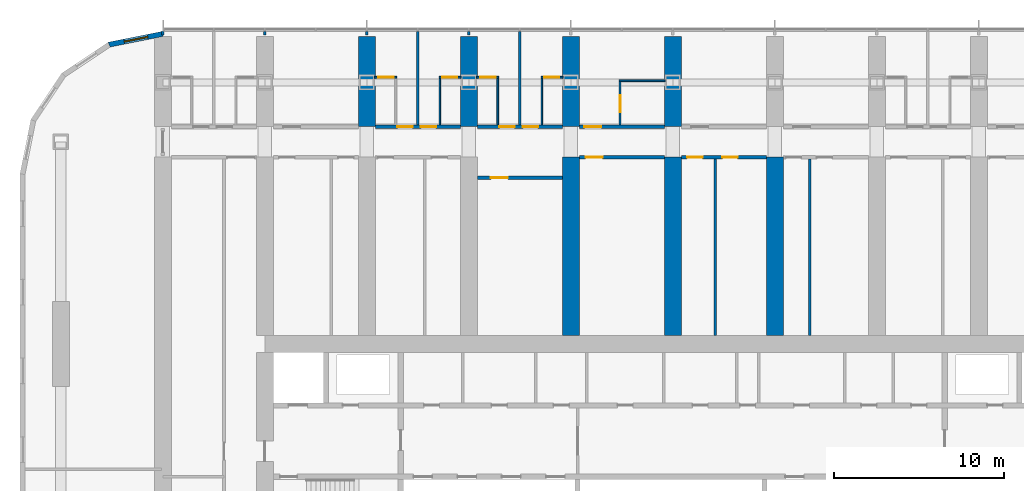
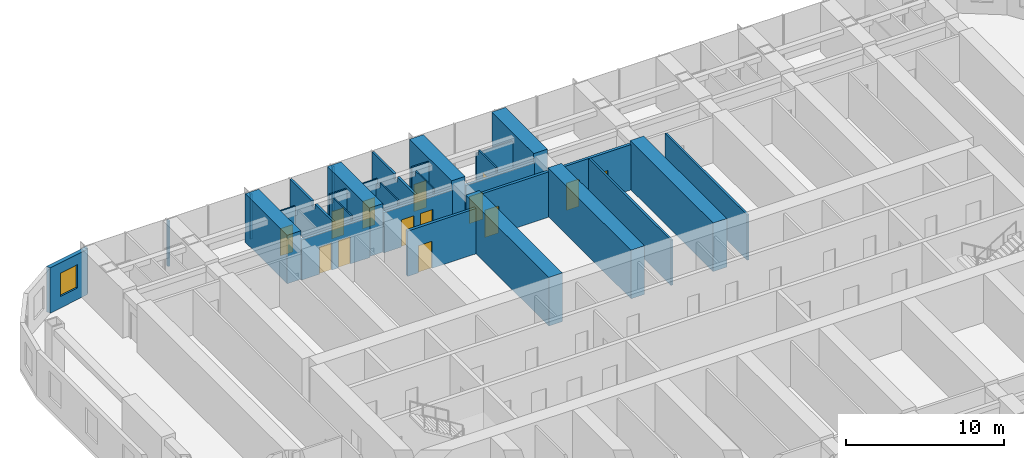
# One storey, part 15 of 23: 31 walls, 14 doors, 1 window, 15 openings.
"""IFC4 building model written with IfcOpenShell, lengths in metres."""

from ifc_helpers import new_model, si_unit, direction, frame, frame_2d, origin, place, context, subcontext, project, spatial, polyline, rectangle, outline, extrude, material, layer, layer_set, type_object, element, fill, save


model = new_model("IFC4")

# Units and contexts
model_context = context("Model", 3, precision=1e-05, world=origin(), true_north=direction((0.0, 1.0)))
body_context = subcontext(model_context, "Body", "Model", "MODEL_VIEW")
ifc_project = project(units=[si_unit("LENGTHUNIT", "METRE"), si_unit("AREAUNIT", "SQUARE_METRE"), si_unit("VOLUMEUNIT", "CUBIC_METRE"), si_unit("PLANEANGLEUNIT", "RADIAN"), si_unit("MASSUNIT", "GRAM", prefix="KILO")], contexts=[model_context])

# Site, building, storey
site_placement = place(None, origin())
site = spatial("IfcSite", under=ifc_project, at=site_placement, CompositionType="ELEMENT")
building_placement = place(site_placement, origin())
building = spatial("IfcBuilding", under=site, at=building_placement, Name="Orbita Commons", CompositionType="ELEMENT")
storey_placement = place(building_placement, frame((0.0, 0.0, 46.449951171875)))
storey = spatial("IfcBuildingStorey", under=building, at=storey_placement, Name="L11", CompositionType="ELEMENT", Elevation=46.449951171875)

# Wall, openings, doors
ifc_material_1 = material(Name="Concrete blockwork", Category="masonry")
ifc_layer_1 = layer(ifc_material_1, 0.199951171875)
ifc_layer_set_1 = layer_set([ifc_layer_1], Name="Concrete blockwork")
wall_type_1 = type_object("IfcWallType", Name="Corridor wall 200 blockwork", PredefinedType="SOLIDWALL", material=ifc_layer_set_1)
wall_1_placement = place(storey_placement, frame((24.5, 51.0, 0.0), z_axis=(0.0, 0.0, 1.0), x_axis=(1.0, 0.0, 0.0)))
wall_1 = element("IfcWall", 1, at=wall_1_placement, inside=storey, type_object=wall_type_1, Name="Corridor wall 200 blockwork L11", PredefinedType="SOLIDWALL", context=body_context, shape_type="SweptSolid", body=[
    extrude(outline(polyline([(0.0, 0.0), (5.0, 0.0), (5.0, 3.10009765625), (0.0, 3.10009765625), (0.0, 0.0)])), frame((0.0, 0.10009765625, 0.0), z_axis=(0.0, -1.0, 0.0), x_axis=(1.0, 0.0, 0.0)), (0.0, 0.0, 1.0), 0.199951171875),
])
opening_1_placement = place(wall_1_placement, frame((1.300048828125, 0.0, 0.0)))
opening_1 = element("IfcOpeningElement", 2, at=opening_1_placement, cuts=wall_1, Name="Opening D11", PredefinedType="OPENING", context=body_context, shape_type="SweptSolid", body=[
    extrude(rectangle(XDim=0.89990234375, YDim=2.10009765625, at=frame_2d((0.449951171875, 1.050048828125))), frame((0.0, 0.10986328125, 0.0), z_axis=(0.0, -1.0, 0.0), x_axis=(1.0, 0.0, 0.0)), (0.0, 0.0, 1.0), 0.219970703125),
])
opening_2_placement = place(wall_1_placement, frame((2.675048828125, 0.0, 0.0)))
opening_2 = element("IfcOpeningElement", 3, at=opening_2_placement, cuts=wall_1, Name="Opening D11", PredefinedType="OPENING", context=body_context, shape_type="SweptSolid", body=[
    extrude(rectangle(XDim=0.89990234375, YDim=2.10009765625, at=frame_2d((0.449951171875, 1.050048828125))), frame((0.0, 0.10986328125, 0.0), z_axis=(0.0, -1.0, 0.0), x_axis=(1.0, 0.0, 0.0)), (0.0, 0.0, 1.0), 0.219970703125),
])
ifc_material_2 = material(Name="Steel-faced fire door leaf", Category="steel")
door_type_1 = type_object("IfcDoorType", Name="Corridor door 20 min 900x2100", OperationType="SINGLE_SWING_LEFT", PredefinedType="DOOR", material=ifc_material_2)
door_1_placement = place(opening_1_placement, origin())
door_1 = element("IfcDoor", 4, at=door_1_placement, inside=storey, type_object=door_type_1, Name="House bedroom L11-N04 door", OperationType="SINGLE_SWING_LEFT", OverallHeight=2.10009765625, OverallWidth=0.89990234375, PredefinedType="DOOR", context=body_context, shape_type="SweptSolid", body=[
    extrude(rectangle(XDim=0.89990234375, YDim=2.10009765625, at=frame_2d((0.449951171875, 1.050048828125))), frame((0.0, 0.02490234375, 0.0), z_axis=(0.0, -1.0, 0.0), x_axis=(1.0, 0.0, 0.0)), (0.0, 0.0, 1.0), 0.050048828125),
])
fill(opening_1, door_1)
door_2_placement = place(opening_2_placement, origin())
door_2 = element("IfcDoor", 5, at=door_2_placement, inside=storey, type_object=door_type_1, Name="House bedroom L11-N05 door", OperationType="SINGLE_SWING_LEFT", OverallHeight=2.10009765625, OverallWidth=0.89990234375, PredefinedType="DOOR", context=body_context, shape_type="SweptSolid", body=[
    extrude(rectangle(XDim=0.89990234375, YDim=2.10009765625, at=frame_2d((0.449951171875, 1.050048828125))), frame((0.0, 0.02490234375, 0.0), z_axis=(0.0, -1.0, 0.0), x_axis=(1.0, 0.0, 0.0)), (0.0, 0.0, 1.0), 0.050048828125),
])
fill(opening_2, door_2)

wall_2_placement = place(storey_placement, frame((30.5, 51.0, 0.0), z_axis=(0.0, 0.0, 1.0), x_axis=(1.0, 0.0, 0.0)))
wall_2 = element("IfcWall", 6, at=wall_2_placement, inside=storey, type_object=wall_type_1, Name="Corridor wall 200 blockwork L11", PredefinedType="SOLIDWALL", context=body_context, shape_type="SweptSolid", body=[
    extrude(outline(polyline([(0.0, 0.0), (5.0, 0.0), (5.0, 3.10009765625), (0.0, 3.10009765625), (0.0, 0.0)])), frame((0.0, 0.10009765625, 0.0), z_axis=(0.0, -1.0, 0.0), x_axis=(1.0, 0.0, 0.0)), (0.0, 0.0, 1.0), 0.199951171875),
])
opening_3_placement = place(wall_2_placement, frame((1.300048828125, 0.0, 0.0)))
opening_3 = element("IfcOpeningElement", 7, at=opening_3_placement, cuts=wall_2, Name="Opening D11", PredefinedType="OPENING", context=body_context, shape_type="SweptSolid", body=[
    extrude(rectangle(XDim=0.89990234375, YDim=2.10009765625, at=frame_2d((0.449951171875, 1.050048828125))), frame((0.0, 0.10986328125, 0.0), z_axis=(0.0, -1.0, 0.0), x_axis=(1.0, 0.0, 0.0)), (0.0, 0.0, 1.0), 0.219970703125),
])
opening_4_placement = place(wall_2_placement, frame((2.675048828125, 0.0, 0.0)))
opening_4 = element("IfcOpeningElement", 8, at=opening_4_placement, cuts=wall_2, Name="Opening D11", PredefinedType="OPENING", context=body_context, shape_type="SweptSolid", body=[
    extrude(rectangle(XDim=0.89990234375, YDim=2.10009765625, at=frame_2d((0.449951171875, 1.050048828125))), frame((0.0, 0.10986328125, 0.0), z_axis=(0.0, -1.0, 0.0), x_axis=(1.0, 0.0, 0.0)), (0.0, 0.0, 1.0), 0.219970703125),
])
door_3_placement = place(opening_3_placement, origin())
door_3 = element("IfcDoor", 9, at=door_3_placement, inside=storey, type_object=door_type_1, Name="House bedroom L11-N06 door", OperationType="SINGLE_SWING_LEFT", OverallHeight=2.10009765625, OverallWidth=0.89990234375, PredefinedType="DOOR", context=body_context, shape_type="SweptSolid", body=[
    extrude(rectangle(XDim=0.89990234375, YDim=2.10009765625, at=frame_2d((0.449951171875, 1.050048828125))), frame((0.0, 0.02490234375, 0.0), z_axis=(0.0, -1.0, 0.0), x_axis=(1.0, 0.0, 0.0)), (0.0, 0.0, 1.0), 0.050048828125),
])
fill(opening_3, door_3)
door_4_placement = place(opening_4_placement, origin())
door_4 = element("IfcDoor", 10, at=door_4_placement, inside=storey, type_object=door_type_1, Name="House bedroom L11-N07 door", OperationType="SINGLE_SWING_LEFT", OverallHeight=2.10009765625, OverallWidth=0.89990234375, PredefinedType="DOOR", context=body_context, shape_type="SweptSolid", body=[
    extrude(rectangle(XDim=0.89990234375, YDim=2.10009765625, at=frame_2d((0.449951171875, 1.050048828125))), frame((0.0, 0.02490234375, 0.0), z_axis=(0.0, -1.0, 0.0), x_axis=(1.0, 0.0, 0.0)), (0.0, 0.0, 1.0), 0.050048828125),
])
fill(opening_4, door_4)

# Wall, opening, door
wall_3_placement = place(storey_placement, frame((36.5, 51.0, 0.0), z_axis=(0.0, 0.0, 1.0), x_axis=(1.0, 0.0, 0.0)))
wall_3 = element("IfcWall", 11, at=wall_3_placement, inside=storey, type_object=wall_type_1, Name="Corridor wall 200 blockwork L11", PredefinedType="SOLIDWALL", context=body_context, shape_type="SweptSolid", body=[
    extrude(outline(polyline([(0.0, 0.0), (5.0, 0.0), (5.0, 3.10009765625), (0.0, 3.10009765625), (0.0, 0.0)])), frame((0.0, 0.10009765625, 0.0), z_axis=(0.0, -1.0, 0.0), x_axis=(1.0, 0.0, 0.0)), (0.0, 0.0, 1.0), 0.199951171875),
])
opening_5_placement = place(wall_3_placement, frame((0.300048828125, 0.0, 0.0)))
opening_5 = element("IfcOpeningElement", 12, at=opening_5_placement, cuts=wall_3, Name="Opening D06", PredefinedType="OPENING", context=body_context, shape_type="SweptSolid", body=[
    extrude(rectangle(XDim=1.0, YDim=2.10009765625, at=frame_2d((0.5, 1.050048828125))), frame((0.0, 0.10986328125, 0.0), z_axis=(0.0, -1.0, 0.0), x_axis=(1.0, 0.0, 0.0)), (0.0, 0.0, 1.0), 0.219970703125),
])
ifc_material_3 = material(Name="Steel-faced fire door leaf", Category="steel")
door_type_2 = type_object("IfcDoorType", Name="Corridor door 20 min 1000x2100", OperationType="SINGLE_SWING_LEFT", PredefinedType="DOOR", material=ifc_material_3)
door_5_placement = place(opening_5_placement, origin())
door_5 = element("IfcDoor", 13, at=door_5_placement, inside=storey, type_object=door_type_2, Name="Accessible bedroom L11-N08 door", OperationType="SINGLE_SWING_LEFT", OverallHeight=2.10009765625, OverallWidth=1.0, PredefinedType="DOOR", context=body_context, shape_type="SweptSolid", body=[
    extrude(rectangle(XDim=1.0, YDim=2.10009765625, at=frame_2d((0.5, 1.050048828125))), frame((0.0, 0.02490234375, 0.0), z_axis=(0.0, -1.0, 0.0), x_axis=(1.0, 0.0, 0.0)), (0.0, 0.0, 1.0), 0.050048828125),
])
fill(opening_5, door_5)

ifc_material_4 = material(Name="Hollow concrete block 200", Category="concrete")
ifc_layer_2 = layer(ifc_material_4, 0.199951171875)
ifc_layer_set_2 = layer_set([ifc_layer_2], Name="Hollow concrete block 200")
wall_type_2 = type_object("IfcWallType", Name="Corridor wall 200 hollow concrete block", PredefinedType="SOLIDWALL", material=ifc_layer_set_2)
wall_4_placement = place(storey_placement, frame((36.5, 49.199951171875, 0.0), z_axis=(0.0, 0.0, 1.0), x_axis=(1.0, 0.0, 0.0)))
wall_4 = element("IfcWall", 14, at=wall_4_placement, inside=storey, type_object=wall_type_2, Name="Corridor wall 200 hollow concrete block L11", PredefinedType="SOLIDWALL", context=body_context, shape_type="SweptSolid", body=[
    extrude(rectangle(XDim=5.0, YDim=0.199951171875, at=frame_2d((2.5, 0.0))), origin(), (0.0, 0.0, 1.0), 3.5),
])
opening_6_placement = place(wall_4_placement, frame((0.375, 0.0, 0.0)))
opening_6 = element("IfcOpeningElement", 15, at=opening_6_placement, cuts=wall_4, Name="Opening D06", PredefinedType="OPENING", context=body_context, shape_type="SweptSolid", body=[
    extrude(rectangle(XDim=1.0, YDim=2.10009765625, at=frame_2d((0.5, 1.050048828125))), frame((0.0, 0.10986328125, 0.0), z_axis=(0.0, -1.0, 0.0), x_axis=(1.0, 0.0, 0.0)), (0.0, 0.0, 1.0), 0.219970703125),
])
door_6_placement = place(opening_6_placement, origin())
door_6 = element("IfcDoor", 16, at=door_6_placement, inside=storey, type_object=door_type_2, Name="Store L11-BDN36 door", OperationType="SINGLE_SWING_LEFT", OverallHeight=2.10009765625, OverallWidth=1.0, PredefinedType="DOOR", context=body_context, shape_type="SweptSolid", body=[
    extrude(rectangle(XDim=1.0, YDim=2.10009765625, at=frame_2d((0.5, 1.050048828125))), frame((0.0, 0.02490234375, 0.0), z_axis=(0.0, -1.0, 0.0), x_axis=(1.0, 0.0, 0.0)), (0.0, 0.0, 1.0), 0.050048828125),
])
fill(opening_6, door_6)

# Wall, openings, doors
wall_5_placement = place(storey_placement, frame((42.5, 49.199951171875, 0.0), z_axis=(0.0, 0.0, 1.0), x_axis=(1.0, 0.0, 0.0)))
wall_5 = element("IfcWall", 17, at=wall_5_placement, inside=storey, type_object=wall_type_2, Name="Corridor wall 200 hollow concrete block L11", PredefinedType="SOLIDWALL", context=body_context, shape_type="SweptSolid", body=[
    extrude(rectangle(XDim=5.0, YDim=0.199951171875, at=frame_2d((2.5, 0.0))), origin(), (0.0, 0.0, 1.0), 3.5),
])
opening_7_placement = place(wall_5_placement, frame((0.35009765625, 0.0, 0.0)))
opening_7 = element("IfcOpeningElement", 18, at=opening_7_placement, cuts=wall_5, Name="Opening D11", PredefinedType="OPENING", context=body_context, shape_type="SweptSolid", body=[
    extrude(rectangle(XDim=0.89990234375, YDim=2.10009765625, at=frame_2d((0.449951171875, 1.050048828125))), frame((0.0, 0.10986328125, 0.0), z_axis=(0.0, -1.0, 0.0), x_axis=(1.0, 0.0, 0.0)), (0.0, 0.0, 1.0), 0.219970703125),
])
opening_8_placement = place(wall_5_placement, frame((2.4150390625, 0.0, 0.0)))
opening_8 = element("IfcOpeningElement", 19, at=opening_8_placement, cuts=wall_5, Name="Opening D11", PredefinedType="OPENING", context=body_context, shape_type="SweptSolid", body=[
    extrude(rectangle(XDim=0.89990234375, YDim=2.10009765625, at=frame_2d((0.449951171875, 1.050048828125))), frame((0.0, 0.10986328125, 0.0), z_axis=(0.0, -1.0, 0.0), x_axis=(1.0, 0.0, 0.0)), (0.0, 0.0, 1.0), 0.219970703125),
])
door_7_placement = place(opening_7_placement, origin())
door_7 = element("IfcDoor", 20, at=door_7_placement, inside=storey, type_object=door_type_1, Name="Sprinkler valve room L11-BDN42n door", OperationType="SINGLE_SWING_LEFT", OverallHeight=2.10009765625, OverallWidth=0.89990234375, PredefinedType="DOOR", context=body_context, shape_type="SweptSolid", body=[
    extrude(rectangle(XDim=0.89990234375, YDim=2.10009765625, at=frame_2d((0.449951171875, 1.050048828125))), frame((0.0, 0.02490234375, 0.0), z_axis=(0.0, -1.0, 0.0), x_axis=(1.0, 0.0, 0.0)), (0.0, 0.0, 1.0), 0.050048828125),
])
fill(opening_7, door_7)
door_8_placement = place(opening_8_placement, origin())
door_8 = element("IfcDoor", 21, at=door_8_placement, inside=storey, type_object=door_type_1, Name="Refuse and recycling room L11-BDN42 door", OperationType="SINGLE_SWING_LEFT", OverallHeight=2.10009765625, OverallWidth=0.89990234375, PredefinedType="DOOR", context=body_context, shape_type="SweptSolid", body=[
    extrude(rectangle(XDim=0.89990234375, YDim=2.10009765625, at=frame_2d((0.449951171875, 1.050048828125))), frame((0.0, 0.02490234375, 0.0), z_axis=(0.0, -1.0, 0.0), x_axis=(1.0, 0.0, 0.0)), (0.0, 0.0, 1.0), 0.050048828125),
])
fill(opening_8, door_8)

# Wall, opening, door
wall_6_placement = place(storey_placement, frame((30.5, 48.0, 0.0), z_axis=(0.0, 0.0, 1.0), x_axis=(1.0, 0.0, 0.0)))
wall_6 = element("IfcWall", 22, at=wall_6_placement, inside=storey, type_object=wall_type_2, Name="Corridor wall 200 hollow concrete block L11", PredefinedType="SOLIDWALL", context=body_context, shape_type="SweptSolid", body=[
    extrude(rectangle(XDim=5.0, YDim=0.199951171875, at=frame_2d((2.5, 0.0))), origin(), (0.0, 0.0, 1.0), 3.5),
])
opening_9_placement = place(wall_6_placement, frame((0.800048828125, 0.0, 0.0)))
opening_9 = element("IfcOpeningElement", 23, at=opening_9_placement, cuts=wall_6, Name="Opening D06", PredefinedType="OPENING", context=body_context, shape_type="SweptSolid", body=[
    extrude(rectangle(XDim=1.0, YDim=2.10009765625, at=frame_2d((0.5, 1.050048828125))), frame((0.0, 0.10986328125, 0.0), z_axis=(0.0, -1.0, 0.0), x_axis=(1.0, 0.0, 0.0)), (0.0, 0.0, 1.0), 0.219970703125),
])
door_9_placement = place(opening_9_placement, origin())
door_9 = element("IfcDoor", 24, at=door_9_placement, inside=storey, type_object=door_type_2, Name="Bulk and luggage store L11-BDN30 door", OperationType="SINGLE_SWING_LEFT", OverallHeight=2.10009765625, OverallWidth=1.0, PredefinedType="DOOR", context=body_context, shape_type="SweptSolid", body=[
    extrude(rectangle(XDim=1.0, YDim=2.10009765625, at=frame_2d((0.5, 1.050048828125))), frame((0.0, 0.02490234375, 0.0), z_axis=(0.0, -1.0, 0.0), x_axis=(1.0, 0.0, 0.0)), (0.0, 0.0, 1.0), 0.050048828125),
])
fill(opening_9, door_9)

# Walls
ifc_material_5 = material(Name="Concrete C50/60", Category="concrete")
ifc_layer_3 = layer(ifc_material_5, 1.0)
ifc_layer_set_3 = layer_set([ifc_layer_3], Name="Concrete C50/60")
wall_type_3 = type_object("IfcWallType", Name="Cross wall 1000 C50/60", PredefinedType="SHEAR", material=ifc_layer_set_3)
for number, where, z_axis, x_axis, name in (
    (25, (24.0, 51.0, 0.0), (0.0, 0.0, 1.0), (0.0, 1.0, 0.0), "Cross wall 5 north outer L11"),
    (26, (30.0, 51.0, 0.0), (0.0, 0.0, 1.0), (0.0, 1.0, 0.0), "Cross wall 6 north outer L11"),
    (27, (36.0, 51.0, 0.0), (0.0, 0.0, 1.0), (0.0, 1.0, 0.0), "Cross wall 7 north outer L11"),
):
    element("IfcWall", number, at=place(storey_placement, frame(where, z_axis=z_axis, x_axis=x_axis)), inside=storey, type_object=wall_type_3, Name=name, PredefinedType="SHEAR", context=body_context, shape_type="SweptSolid", body=[
        extrude(rectangle(XDim=5.300048828125, YDim=1.0, at=frame_2d((2.64990234375, 0.0))), origin(), (0.0, 0.0, 1.0), 3.75),
    ])
wall_7_placement = place(storey_placement, frame((36.0, 38.699951171875, 0.0), z_axis=(0.0, 0.0, 1.0), x_axis=(0.0, 1.0, 0.0)))
element("IfcWall", 28, at=wall_7_placement, inside=storey, type_object=wall_type_3, Name="Cross wall 7 north inner L11", PredefinedType="SHEAR", context=body_context, shape_type="SweptSolid", body=[
    extrude(rectangle(XDim=10.5, YDim=1.0, at=frame_2d((5.25, 0.0))), origin(), (0.0, 0.0, 1.0), 3.75),
])
wall_8_placement = place(storey_placement, frame((42.0, 51.0, 0.0), z_axis=(0.0, 0.0, 1.0), x_axis=(0.0, 1.0, 0.0)))
element("IfcWall", 29, at=wall_8_placement, inside=storey, type_object=wall_type_3, Name="Cross wall 8 north outer L11", PredefinedType="SHEAR", context=body_context, shape_type="SweptSolid", body=[
    extrude(rectangle(XDim=5.300048828125, YDim=1.0, at=frame_2d((2.64990234375, 0.0))), origin(), (0.0, 0.0, 1.0), 3.75),
])
for number, where, z_axis, x_axis, name in (
    (30, (42.0, 38.699951171875, 0.0), (0.0, 0.0, 1.0), (0.0, 1.0, 0.0), "Cross wall 8 north inner L11"),
    (31, (48.0, 38.699951171875, 0.0), (0.0, 0.0, 1.0), (0.0, 1.0, 0.0), "Cross wall 9 north inner L11"),
):
    element("IfcWall", number, at=place(storey_placement, frame(where, z_axis=z_axis, x_axis=x_axis)), inside=storey, type_object=wall_type_3, Name=name, PredefinedType="SHEAR", context=body_context, shape_type="SweptSolid", body=[
        extrude(rectangle(XDim=10.5, YDim=1.0, at=frame_2d((5.25, 0.0))), origin(), (0.0, 0.0, 1.0), 3.75),
    ])

# Wall, opening, door
ifc_material_6 = material(Name="Moisture-resistant plasterboard on steel studs", Category="steel")
ifc_layer_4 = layer(ifc_material_6, 0.10009765625)
ifc_layer_set_4 = layer_set([ifc_layer_4], Name="Moisture-resistant plasterboard on steel studs")
wall_type_4 = type_object("IfcWallType", Name="En-suite partition 100", PredefinedType="PARTITIONING", material=ifc_layer_set_4)
wall_9_placement = place(storey_placement, frame((24.449951171875, 53.89990234375, 0.0), z_axis=(0.0, 0.0, 1.0), x_axis=(1.0, 0.0, 0.0)))
wall_9 = element("IfcWall", 32, at=wall_9_placement, inside=storey, type_object=wall_type_4, Name="En-suite partition 100 L11", PredefinedType="PARTITIONING", context=body_context, shape_type="SweptSolid", body=[
    extrude(rectangle(XDim=1.300048828125, YDim=0.10009765625, at=frame_2d((0.64990234375, 0.0))), origin(), (0.0, 0.0, 1.0), 3.5),
])
opening_10_placement = place(wall_9_placement, frame((0.22509765625, 0.0, 0.0)))
opening_10 = element("IfcOpeningElement", 33, at=opening_10_placement, cuts=wall_9, Name="Opening D09", PredefinedType="OPENING", context=body_context, shape_type="SweptSolid", body=[
    extrude(rectangle(XDim=0.89990234375, YDim=2.10009765625, at=frame_2d((0.449951171875, 1.050048828125))), frame((0.0, 0.06005859375, 0.0), z_axis=(0.0, -1.0, 0.0), x_axis=(1.0, 0.0, 0.0)), (0.0, 0.0, 1.0), 0.1201171875),
])
ifc_material_7 = material(Name="Laminated timber door leaf", Category="wood")
door_type_3 = type_object("IfcDoorType", Name="En-suite door 900x2100", OperationType="SINGLE_SWING_RIGHT", PredefinedType="DOOR", material=ifc_material_7)
door_10_placement = place(opening_10_placement, origin())
door_10 = element("IfcDoor", 34, at=door_10_placement, inside=storey, type_object=door_type_3, Name="En-suite L11-N04 door", OperationType="SINGLE_SWING_RIGHT", OverallHeight=2.10009765625, OverallWidth=0.89990234375, PredefinedType="DOOR", context=body_context, shape_type="SweptSolid", body=[
    extrude(rectangle(XDim=0.89990234375, YDim=2.10009765625, at=frame_2d((0.449951171875, 1.050048828125))), frame((0.0, 0.02490234375, 0.0), z_axis=(0.0, -1.0, 0.0), x_axis=(1.0, 0.0, 0.0)), (0.0, 0.0, 1.0), 0.050048828125),
])
fill(opening_10, door_10)

wall_10_placement = place(storey_placement, frame((28.25, 53.89990234375, 0.0), z_axis=(0.0, 0.0, 1.0), x_axis=(1.0, 0.0, 0.0)))
wall_10 = element("IfcWall", 35, at=wall_10_placement, inside=storey, type_object=wall_type_4, Name="En-suite partition 100 L11", PredefinedType="PARTITIONING", context=body_context, shape_type="SweptSolid", body=[
    extrude(rectangle(XDim=1.300048828125, YDim=0.10009765625, at=frame_2d((0.64990234375, 0.0))), origin(), (0.0, 0.0, 1.0), 3.5),
])
opening_11_placement = place(wall_10_placement, frame((0.175048828125, 0.0, 0.0)))
opening_11 = element("IfcOpeningElement", 36, at=opening_11_placement, cuts=wall_10, Name="Opening D09", PredefinedType="OPENING", context=body_context, shape_type="SweptSolid", body=[
    extrude(rectangle(XDim=0.89990234375, YDim=2.10009765625, at=frame_2d((0.449951171875, 1.050048828125))), frame((0.0, 0.06005859375, 0.0), z_axis=(0.0, -1.0, 0.0), x_axis=(1.0, 0.0, 0.0)), (0.0, 0.0, 1.0), 0.1201171875),
])
door_11_placement = place(opening_11_placement, origin())
door_11 = element("IfcDoor", 37, at=door_11_placement, inside=storey, type_object=door_type_3, Name="En-suite L11-N05 door", OperationType="SINGLE_SWING_RIGHT", OverallHeight=2.10009765625, OverallWidth=0.89990234375, PredefinedType="DOOR", context=body_context, shape_type="SweptSolid", body=[
    extrude(rectangle(XDim=0.89990234375, YDim=2.10009765625, at=frame_2d((0.449951171875, 1.050048828125))), frame((0.0, 0.02490234375, 0.0), z_axis=(0.0, -1.0, 0.0), x_axis=(1.0, 0.0, 0.0)), (0.0, 0.0, 1.0), 0.050048828125),
])
fill(opening_11, door_11)

# Wall
wall_11_placement = place(storey_placement, frame((28.300048828125, 53.85009765625, 0.0), z_axis=(0.0, 0.0, 1.0), x_axis=(0.0, -1.0, 0.0)))
element("IfcWall", 38, at=wall_11_placement, inside=storey, type_object=wall_type_4, Name="En-suite partition 100 L11", PredefinedType="PARTITIONING", context=body_context, shape_type="SweptSolid", body=[
    extrude(outline(polyline([(0.0, 0.0), (2.75, 0.0), (2.75, 3.10009765625), (2.701904296875, 3.10009765625), (2.699951171875, 3.5), (0.451904296875, 3.5), (0.449951171875, 3.10009765625), (0.0, 3.10009765625), (0.0, 0.0)])), frame((0.0, 0.050048828125, 0.0), z_axis=(0.0, -1.0, 0.0), x_axis=(1.0, 0.0, 0.0)), (0.0, 0.0, 1.0), 0.10009765625),
])

# Wall, opening, door
wall_12_placement = place(storey_placement, frame((30.449951171875, 53.89990234375, 0.0), z_axis=(0.0, 0.0, 1.0), x_axis=(1.0, 0.0, 0.0)))
wall_12 = element("IfcWall", 39, at=wall_12_placement, inside=storey, type_object=wall_type_4, Name="En-suite partition 100 L11", PredefinedType="PARTITIONING", context=body_context, shape_type="SweptSolid", body=[
    extrude(rectangle(XDim=1.300048828125, YDim=0.10009765625, at=frame_2d((0.64990234375, 0.0))), origin(), (0.0, 0.0, 1.0), 3.5),
])
opening_12_placement = place(wall_12_placement, frame((0.22509765625, 0.0, 0.0)))
opening_12 = element("IfcOpeningElement", 40, at=opening_12_placement, cuts=wall_12, Name="Opening D09", PredefinedType="OPENING", context=body_context, shape_type="SweptSolid", body=[
    extrude(rectangle(XDim=0.89990234375, YDim=2.10009765625, at=frame_2d((0.449951171875, 1.050048828125))), frame((0.0, 0.06005859375, 0.0), z_axis=(0.0, -1.0, 0.0), x_axis=(1.0, 0.0, 0.0)), (0.0, 0.0, 1.0), 0.1201171875),
])
door_12_placement = place(opening_12_placement, origin())
door_12 = element("IfcDoor", 41, at=door_12_placement, inside=storey, type_object=door_type_3, Name="En-suite L11-N06 door", OperationType="SINGLE_SWING_RIGHT", OverallHeight=2.10009765625, OverallWidth=0.89990234375, PredefinedType="DOOR", context=body_context, shape_type="SweptSolid", body=[
    extrude(rectangle(XDim=0.89990234375, YDim=2.10009765625, at=frame_2d((0.449951171875, 1.050048828125))), frame((0.0, 0.02490234375, 0.0), z_axis=(0.0, -1.0, 0.0), x_axis=(1.0, 0.0, 0.0)), (0.0, 0.0, 1.0), 0.050048828125),
])
fill(opening_12, door_12)

# Wall
wall_13_placement = place(storey_placement, frame((31.699951171875, 53.85009765625, 0.0), z_axis=(0.0, 0.0, 1.0), x_axis=(0.0, -1.0, 0.0)))
element("IfcWall", 42, at=wall_13_placement, inside=storey, type_object=wall_type_4, Name="En-suite partition 100 L11", PredefinedType="PARTITIONING", context=body_context, shape_type="SweptSolid", body=[
    extrude(outline(polyline([(0.0, 0.0), (2.75, 0.0), (2.75, 3.10009765625), (2.701904296875, 3.10009765625), (2.699951171875, 3.5), (0.451904296875, 3.5), (0.449951171875, 3.10009765625), (0.0, 3.10009765625), (0.0, 0.0)])), frame((0.0, 0.050048828125, 0.0), z_axis=(0.0, -1.0, 0.0), x_axis=(1.0, 0.0, 0.0)), (0.0, 0.0, 1.0), 0.10009765625),
])

# Wall, opening, door
wall_14_placement = place(storey_placement, frame((34.25, 53.89990234375, 0.0), z_axis=(0.0, 0.0, 1.0), x_axis=(1.0, 0.0, 0.0)))
wall_14 = element("IfcWall", 43, at=wall_14_placement, inside=storey, type_object=wall_type_4, Name="En-suite partition 100 L11", PredefinedType="PARTITIONING", context=body_context, shape_type="SweptSolid", body=[
    extrude(rectangle(XDim=1.300048828125, YDim=0.10009765625, at=frame_2d((0.64990234375, 0.0))), origin(), (0.0, 0.0, 1.0), 3.5),
])
opening_13_placement = place(wall_14_placement, frame((0.175048828125, 0.0, 0.0)))
opening_13 = element("IfcOpeningElement", 44, at=opening_13_placement, cuts=wall_14, Name="Opening D09", PredefinedType="OPENING", context=body_context, shape_type="SweptSolid", body=[
    extrude(rectangle(XDim=0.89990234375, YDim=2.10009765625, at=frame_2d((0.449951171875, 1.050048828125))), frame((0.0, 0.06005859375, 0.0), z_axis=(0.0, -1.0, 0.0), x_axis=(1.0, 0.0, 0.0)), (0.0, 0.0, 1.0), 0.1201171875),
])
door_13_placement = place(opening_13_placement, origin())
door_13 = element("IfcDoor", 45, at=door_13_placement, inside=storey, type_object=door_type_3, Name="En-suite L11-N07 door", OperationType="SINGLE_SWING_RIGHT", OverallHeight=2.10009765625, OverallWidth=0.89990234375, PredefinedType="DOOR", context=body_context, shape_type="SweptSolid", body=[
    extrude(rectangle(XDim=0.89990234375, YDim=2.10009765625, at=frame_2d((0.449951171875, 1.050048828125))), frame((0.0, 0.02490234375, 0.0), z_axis=(0.0, -1.0, 0.0), x_axis=(1.0, 0.0, 0.0)), (0.0, 0.0, 1.0), 0.050048828125),
])
fill(opening_13, door_13)

# Walls
wall_15_placement = place(storey_placement, frame((34.300048828125, 53.85009765625, 0.0), z_axis=(0.0, 0.0, 1.0), x_axis=(0.0, -1.0, 0.0)))
element("IfcWall", 46, at=wall_15_placement, inside=storey, type_object=wall_type_4, Name="En-suite partition 100 L11", PredefinedType="PARTITIONING", context=body_context, shape_type="SweptSolid", body=[
    extrude(outline(polyline([(0.0, 0.0), (2.75, 0.0), (2.75, 3.10009765625), (2.701904296875, 3.10009765625), (2.699951171875, 3.5), (0.451904296875, 3.5), (0.449951171875, 3.10009765625), (0.0, 3.10009765625), (0.0, 0.0)])), frame((0.0, 0.050048828125, 0.0), z_axis=(0.0, -1.0, 0.0), x_axis=(1.0, 0.0, 0.0)), (0.0, 0.0, 1.0), 0.10009765625),
])
wall_16_placement = place(storey_placement, frame((38.85009765625, 53.699951171875, 0.0), z_axis=(0.0, 0.0, 1.0), x_axis=(1.0, 0.0, 0.0)))
element("IfcWall", 47, at=wall_16_placement, inside=storey, type_object=wall_type_4, Name="En-suite partition 100 L11", PredefinedType="PARTITIONING", context=body_context, shape_type="SweptSolid", body=[
    extrude(outline(polyline([(0.0, 0.0), (2.699951171875, 0.0), (2.699951171875, 3.10009765625), (0.0, 3.10009765625), (0.0, 0.0)])), frame((0.0, 0.050048828125, 0.0), z_axis=(0.0, -1.0, 0.0), x_axis=(1.0, 0.0, 0.0)), (0.0, 0.0, 1.0), 0.10009765625),
])

# Wall, opening, door
wall_17_placement = place(storey_placement, frame((38.89990234375, 53.64990234375, 0.0), z_axis=(0.0, 0.0, 1.0), x_axis=(0.0, -1.0, 0.0)))
wall_17 = element("IfcWall", 48, at=wall_17_placement, inside=storey, type_object=wall_type_4, Name="En-suite partition 100 L11", PredefinedType="PARTITIONING", context=body_context, shape_type="SweptSolid", body=[
    extrude(outline(polyline([(0.0, 0.0), (2.5498046875, 0.0), (2.550048828125, 3.10009765625), (2.501953125, 3.10009765625), (2.5, 3.5), (0.251953125, 3.5), (0.25, 3.10009765625), (0.0, 3.10009765625), (0.0, 0.0)])), frame((0.0, 0.050048828125, 0.0), z_axis=(0.0, -1.0, 0.0), x_axis=(1.0, 0.0, 0.0)), (0.0, 0.0, 1.0), 0.10009765625),
])
opening_14_placement = place(wall_17_placement, frame((0.800048828125, 0.0, 0.0)))
opening_14 = element("IfcOpeningElement", 49, at=opening_14_placement, cuts=wall_17, Name="Opening D13", PredefinedType="OPENING", context=body_context, shape_type="SweptSolid", body=[
    extrude(rectangle(XDim=1.0, YDim=2.10009765625, at=frame_2d((0.5, 1.050048828125))), frame((0.0, 0.06005859375, 0.0), z_axis=(0.0, -1.0, 0.0), x_axis=(1.0, 0.0, 0.0)), (0.0, 0.0, 1.0), 0.1201171875),
])
ifc_material_8 = material(Name="Laminated timber door leaf", Category="wood")
door_type_4 = type_object("IfcDoorType", Name="En-suite door 1000x2100", OperationType="SINGLE_SWING_RIGHT", PredefinedType="DOOR", material=ifc_material_8)
door_14_placement = place(opening_14_placement, origin())
door_14 = element("IfcDoor", 50, at=door_14_placement, inside=storey, type_object=door_type_4, Name="Accessible shower room L11-N08 door", OperationType="SINGLE_SWING_RIGHT", OverallHeight=2.10009765625, OverallWidth=1.0, PredefinedType="DOOR", context=body_context, shape_type="SweptSolid", body=[
    extrude(rectangle(XDim=1.0, YDim=2.10009765625, at=frame_2d((0.5, 1.050048828125))), frame((0.0, 0.02490234375, 0.0), z_axis=(0.0, -1.0, 0.0), x_axis=(1.0, 0.0, 0.0)), (0.0, 0.0, 1.0), 0.050048828125),
])
fill(opening_14, door_14)

# Walls
ifc_material_9 = material(Name="Gypsum plasterboard on steel studs", Category="steel")
ifc_layer_5 = layer(ifc_material_9, 0.14990234375)
ifc_layer_set_5 = layer_set([ifc_layer_5], Name="Gypsum plasterboard on steel studs")
wall_type_5 = type_object("IfcWallType", Name="Partition 150 plasterboard", PredefinedType="PARTITIONING", material=ifc_layer_set_5)
for number, where, z_axis, x_axis, name in (
    (51, (44.489990234375, 38.699951171875, 0.0), (0.0, 0.0, 1.0), (0.0, 1.0, 0.0), "Partition 150 plasterboard L11"),
    (52, (50.054931640625, 38.699951171875, 0.0), (0.0, 0.0, 1.0), (0.0, 1.0, 0.0), "Partition 150 plasterboard L11"),
):
    element("IfcWall", number, at=place(storey_placement, frame(where, z_axis=z_axis, x_axis=x_axis)), inside=storey, type_object=wall_type_5, Name=name, PredefinedType="PARTITIONING", context=body_context, shape_type="SweptSolid", body=[
        extrude(rectangle(XDim=10.400146484375, YDim=0.14990234375, at=frame_2d((5.2001953125, 0.0))), origin(), (0.0, 0.0, 1.0), 3.5),
    ])
wall_18_placement = place(storey_placement, frame((12.0, 56.39990234375, 0.0), z_axis=(0.0, 0.0, 1.0), x_axis=(0.0, 1.0, 0.0)))
element("IfcWall", 53, at=wall_18_placement, inside=storey, type_object=wall_type_5, Name="Partition 150 plasterboard L11", PredefinedType="PARTITIONING", context=body_context, shape_type="SweptSolid", body=[
    extrude(rectangle(XDim=0.22021484375, YDim=0.14990234375, at=frame_2d((0.110107421875, 0.0))), origin(), (0.0, 0.0, 1.0), 3.5),
])
for number, where, z_axis, x_axis, name in (
    (54, (18.0, 56.39990234375, 0.0), (0.0, 0.0, 1.0), (0.0, 1.0, 0.0), "Partition 150 plasterboard L11"),
    (55, (24.0, 56.39990234375, 0.0), (0.0, 0.0, 1.0), (0.0, 1.0, 0.0), "Partition 150 plasterboard L11"),
    (56, (30.0, 56.39990234375, 0.0), (0.0, 0.0, 1.0), (0.0, 1.0, 0.0), "Partition 150 plasterboard L11"),
):
    element("IfcWall", number, at=place(storey_placement, frame(where, z_axis=z_axis, x_axis=x_axis)), inside=storey, type_object=wall_type_5, Name=name, PredefinedType="PARTITIONING", context=body_context, shape_type="SweptSolid", body=[
        extrude(rectangle(XDim=0.190185546875, YDim=0.14990234375, at=frame_2d((0.09521484375, 0.0))), origin(), (0.0, 0.0, 1.0), 3.5),
    ])
ifc_material_10 = material(Name="Gypsum plasterboard on steel studs", Category="steel")
ifc_layer_6 = layer(ifc_material_10, 0.14990234375)
ifc_layer_set_6 = layer_set([ifc_layer_6], Name="Gypsum plasterboard on steel studs")
wall_type_6 = type_object("IfcWallType", Name="Party wall 150 plasterboard", PredefinedType="PARTITIONING", material=ifc_layer_set_6)
for number, where, z_axis, x_axis, name in (
    (57, (27.0, 56.590087890625, 0.0), (0.0, 0.0, 1.0), (0.0, -1.0, 0.0), "Party wall 150 plasterboard L11"),
    (58, (33.0, 56.590087890625, 0.0), (0.0, 0.0, 1.0), (0.0, -1.0, 0.0), "Party wall 150 plasterboard L11"),
):
    element("IfcWall", number, at=place(storey_placement, frame(where, z_axis=z_axis, x_axis=x_axis)), inside=storey, type_object=wall_type_6, Name=name, PredefinedType="PARTITIONING", context=body_context, shape_type="SweptSolid", body=[
        extrude(outline(polyline([(0.0, 0.0), (5.489990234375, 0.0), (5.489990234375, 3.10009765625), (5.44189453125, 3.10009765625), (5.43994140625, 3.5), (3.19189453125, 3.5), (3.18994140625, 3.10009765625), (2.7919921875, 3.10009765625), (2.7900390625, 3.5), (0.0, 3.5), (0.0, 0.0)])), frame((0.0, 0.074951171875, 0.0), z_axis=(0.0, -1.0, 0.0), x_axis=(1.0, 0.0, 0.0)), (0.0, 0.0, 1.0), 0.14990234375),
    ])

# Wall, opening, window
ifc_material_11 = material(Name="Precast concrete C40/50, white board-marked finish", Category="concrete")
ifc_layer_7 = layer(ifc_material_11, 0.300048828125)
ifc_layer_set_7 = layer_set([ifc_layer_7], Name="Precast concrete C40/50, white board-marked finish")
wall_type_7 = type_object("IfcWallType", Name="Precast concrete end shield 300", PredefinedType="SOLIDWALL", material=ifc_layer_set_7)
wall_19_placement = place(storey_placement, frame((12.0, 56.449951171875, 0.0), z_axis=(0.0, 0.0, 1.0), x_axis=(-0.980787251524, -0.195080412259, 0.0)))
wall_19 = element("IfcWall", 59, at=wall_19_placement, inside=storey, type_object=wall_type_7, Name="End shield NW chord 1 L11", PredefinedType="SOLIDWALL", context=body_context, shape_type="SweptSolid", body=[
    extrude(outline(polyline([(-0.02978515625, -0.14990234375), (3.24853515625, -0.14990234375), (3.18896484375, 0.14990234375), (0.02978515625, 0.14990234375), (-0.02978515625, -0.14990234375)])), origin(), (0.0, 0.0, 1.0), 3.5),
])
opening_15_placement = place(wall_19_placement, frame((0.909423828125, 0.0, 0.89990234375)))
opening_15 = element("IfcOpeningElement", 60, at=opening_15_placement, cuts=wall_19, Name="Opening W02", PredefinedType="OPENING", context=body_context, shape_type="SweptSolid", body=[
    extrude(rectangle(XDim=1.39990234375, YDim=1.800048828125, at=frame_2d((0.699951171875, 0.89990234375))), frame((0.0, 0.159912109375, 0.0), z_axis=(0.0, -1.0, 0.0), x_axis=(1.0, 0.0, 0.0)), (0.0, 0.0, 1.0), 0.320068359375),
])
ifc_material_12 = material(Name="Aluminium frame, clear double glazing", Category="aluminium")
window_type = type_object("IfcWindowType", Name="Deep-set window 1400x1800", PartitioningType="SINGLE_PANEL", PredefinedType="WINDOW", material=ifc_material_12)
window_placement = place(opening_15_placement, origin())
window = element("IfcWindow", 61, at=window_placement, inside=storey, type_object=window_type, Name="Window L11-NW0", OverallHeight=1.800048828125, OverallWidth=1.39990234375, PartitioningType="SINGLE_PANEL", PredefinedType="WINDOW", context=body_context, shape_type="SweptSolid", body=[
    extrude(rectangle(XDim=1.39990234375, YDim=1.800048828125, at=frame_2d((0.699951171875, 0.89990234375))), frame((0.0, 0.030029296875, 0.0), z_axis=(0.0, -1.0, 0.0), x_axis=(1.0, 0.0, 0.0)), (0.0, 0.0, 1.0), 0.06005859375),
])
fill(opening_15, window)

save(model, "model.ifc")
